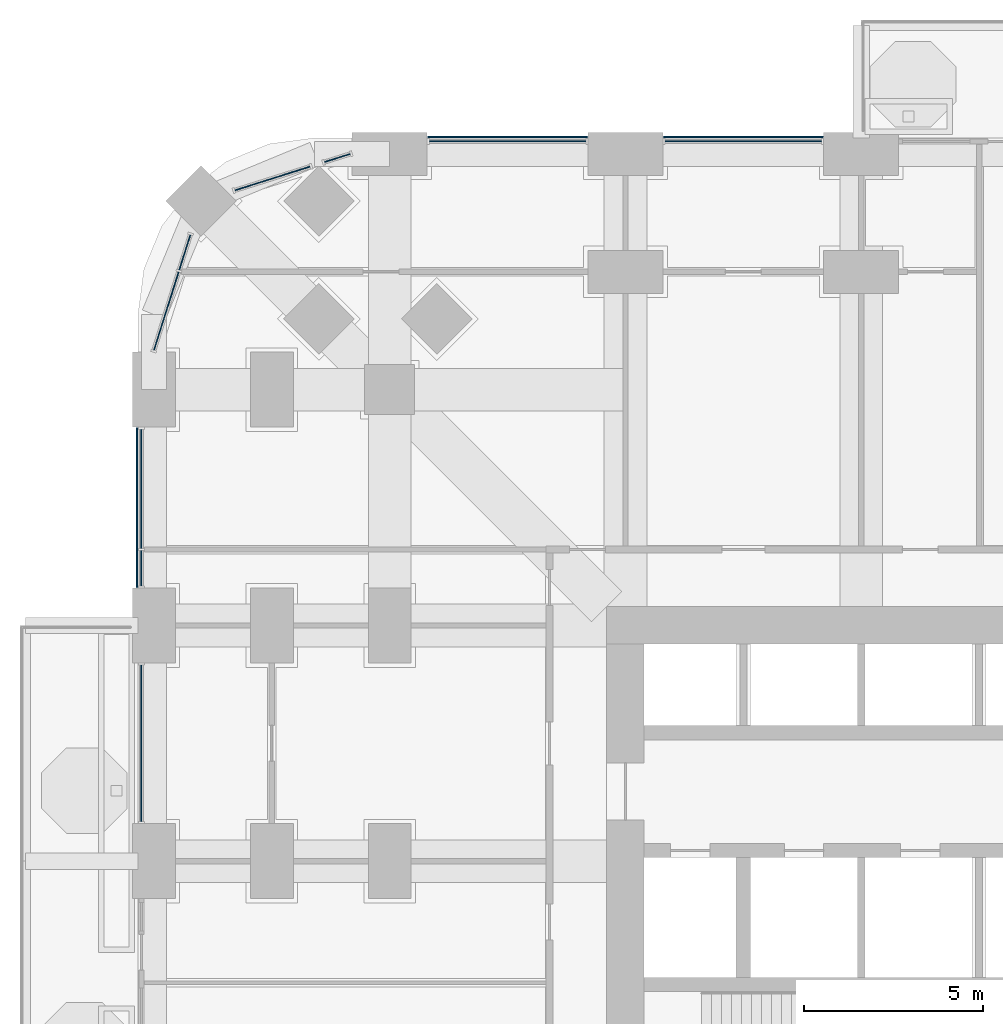
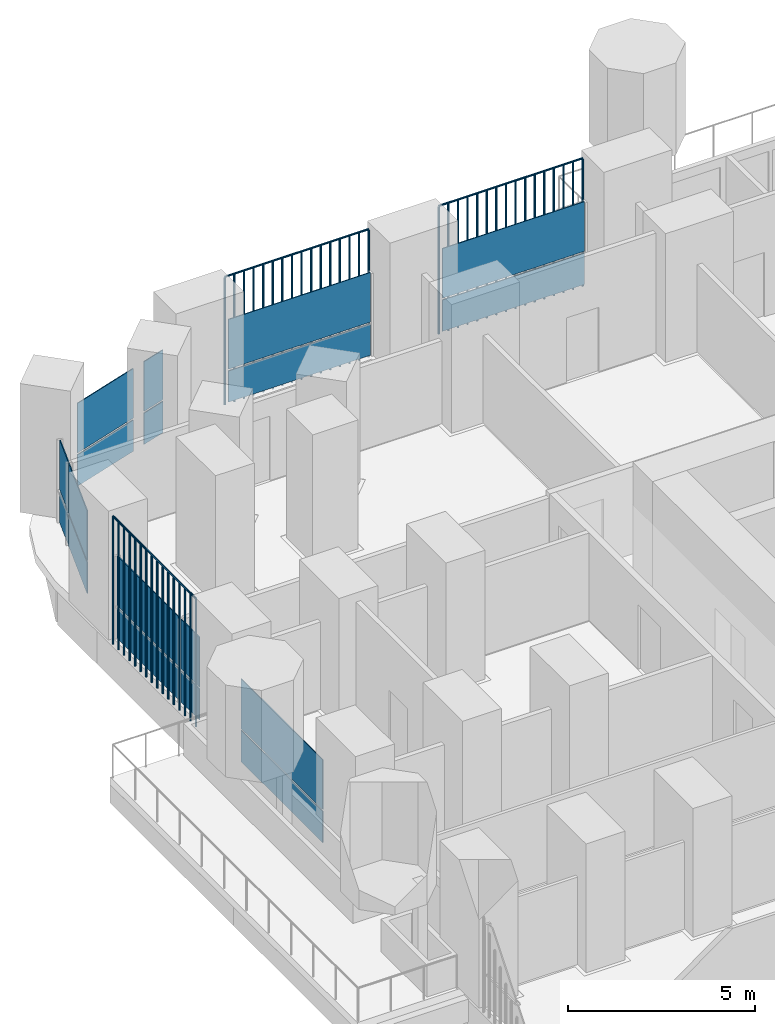
# One storey, part 14 of 26: 21 plates, 7 elements without a shape of their own.
"""IFC4 building model written with IfcOpenShell, lengths in metres."""

from ifc_helpers import new_model, si_unit, direction, frame, origin, origin_2d, place, context, subcontext, project, spatial, polyline, rectangle, outline, extrude, material, layer, layer_set, type_object, element, aggregate, save


model = new_model("IFC4")

# Units and contexts
model_context = context("Model", 3, precision=1e-05, world=origin(), true_north=direction((0.0, 1.0)))
body_context = subcontext(model_context, "Body", "Model", "MODEL_VIEW")
ifc_project = project(units=[si_unit("LENGTHUNIT", "METRE"), si_unit("AREAUNIT", "SQUARE_METRE"), si_unit("VOLUMEUNIT", "CUBIC_METRE"), si_unit("PLANEANGLEUNIT", "RADIAN"), si_unit("MASSUNIT", "GRAM", prefix="KILO")], contexts=[model_context])

# Site, building, storey
site_placement = place(None, origin())
site = spatial("IfcSite", under=ifc_project, at=site_placement, CompositionType="ELEMENT")
building_placement = place(site_placement, origin())
building = spatial("IfcBuilding", under=site, at=building_placement, Name="Cobogo Forest Laboratory Tower", CompositionType="ELEMENT")
storey_placement = place(building_placement, frame((0.0, 0.0, 25.5)))
storey = spatial("IfcBuildingStorey", under=building, at=storey_placement, Name="L05", CompositionType="ELEMENT", Elevation=25.5)

# Curtain wall, plates
ifc_material_1 = material(Name="Aluminium curtain wall", Category="aluminium")
curtain_wall_type = type_object("IfcCurtainWallType", Name="CW-1 unitised curtain wall, clear glazing, laboratory floors zones A and B", PredefinedType="USERDEFINED", material=ifc_material_1)
curtain_wall_1_placement = place(storey_placement, origin())
curtain_wall_1 = element("IfcCurtainWall", 1, at=curtain_wall_1_placement, inside=storey, type_object=curtain_wall_type, Name="Curtain wall 22 L05", ObjectType="UNITISED CURTAIN WALL", PredefinedType="USERDEFINED")
ifc_material_2 = material(Name="Clear insulated glass", Category="glass")
ifc_layer = layer(ifc_material_2, 0.028076171875)
ifc_layer_set = layer_set([ifc_layer], Name="GP-1 clear insulated glass unit 28")
plate_type_1 = type_object("IfcPlateType", Name="GP-1 clear insulated glass unit 28", PredefinedType="CURTAIN_PANEL", material=ifc_layer_set)
plate_1_placement = place(storey_placement, frame((16.5, 46.550048828125, 0.0), z_axis=(0.0, 0.0, 1.0), x_axis=(-1.0, 0.0, 0.0)))
plate_1 = element("IfcPlate", 2, at=plate_1_placement, type_object=plate_type_1, Name="CW-1 panel 1.1", PredefinedType="CURTAIN_PANEL", context=body_context, shape_type="SweptSolid", body=[
    extrude(rectangle(XDim=4.3798828125, YDim=0.028076171875, at=origin_2d()), origin(), (0.0, 0.0, 1.0), 1.02001953125),
])
plate_2_placement = place(storey_placement, frame((16.5, 46.550048828125, 1.079833984375), z_axis=(0.0, 0.0, 1.0), x_axis=(-1.0, 0.0, 0.0)))
plate_2 = element("IfcPlate", 3, at=plate_2_placement, type_object=plate_type_1, Name="CW-1 panel 1.2", PredefinedType="CURTAIN_PANEL", context=body_context, shape_type="SweptSolid", body=[
    extrude(rectangle(XDim=4.3798828125, YDim=0.028076171875, at=origin_2d()), origin(), (0.0, 0.0, 1.0), 1.6201171875),
])
aggregate(curtain_wall_1, [plate_1, plate_2])

curtain_wall_2_placement = place(storey_placement, origin())
curtain_wall_2 = element("IfcCurtainWall", 4, at=curtain_wall_2_placement, inside=storey, type_object=curtain_wall_type, Name="Curtain wall 23 L05", ObjectType="UNITISED CURTAIN WALL", PredefinedType="USERDEFINED")
plate_3_placement = place(storey_placement, frame((9.89990234375, 46.550048828125, 0.0), z_axis=(0.0, 0.0, 1.0), x_axis=(-1.0, 0.0, 0.0)))
plate_3 = element("IfcPlate", 5, at=plate_3_placement, type_object=plate_type_1, Name="CW-1 panel 1.1", PredefinedType="CURTAIN_PANEL", context=body_context, shape_type="SweptSolid", body=[
    extrude(rectangle(XDim=4.3798828125, YDim=0.028076171875, at=origin_2d()), origin(), (0.0, 0.0, 1.0), 1.02001953125),
])
plate_4_placement = place(storey_placement, frame((9.89990234375, 46.550048828125, 1.079833984375), z_axis=(0.0, 0.0, 1.0), x_axis=(-1.0, 0.0, 0.0)))
plate_4 = element("IfcPlate", 6, at=plate_4_placement, type_object=plate_type_1, Name="CW-1 panel 1.2", PredefinedType="CURTAIN_PANEL", context=body_context, shape_type="SweptSolid", body=[
    extrude(rectangle(XDim=4.3798828125, YDim=0.028076171875, at=origin_2d()), origin(), (0.0, 0.0, 1.0), 1.6201171875),
])
aggregate(curtain_wall_2, [plate_3, plate_4])

curtain_wall_3_placement = place(storey_placement, origin())
curtain_wall_3 = element("IfcCurtainWall", 7, at=curtain_wall_3_placement, inside=storey, type_object=curtain_wall_type, Name="Curtain wall 24 L05", ObjectType="UNITISED CURTAIN WALL", PredefinedType="USERDEFINED")
plate_5_placement = place(storey_placement, frame((5.134033203125, 46.087158203125, 0.0), z_axis=(0.0, 0.0, 1.0), x_axis=(-0.953581504428, -0.301135043481, 0.0)))
plate_5 = element("IfcPlate", 8, at=plate_5_placement, type_object=plate_type_1, Name="CW-1 panel 1.1", PredefinedType="CURTAIN_PANEL", context=body_context, shape_type="SweptSolid", body=[
    extrude(rectangle(XDim=0.75244140625, YDim=0.028076171875, at=origin_2d()), origin(), (0.0, 0.0, 1.0), 1.02001953125),
])
plate_6_placement = place(storey_placement, frame((5.134033203125, 46.087158203125, 1.079833984375), z_axis=(0.0, 0.0, 1.0), x_axis=(-0.953581504428, -0.301135043481, 0.0)))
plate_6 = element("IfcPlate", 9, at=plate_6_placement, type_object=plate_type_1, Name="CW-1 panel 1.2", PredefinedType="CURTAIN_PANEL", context=body_context, shape_type="SweptSolid", body=[
    extrude(rectangle(XDim=0.75244140625, YDim=0.028076171875, at=origin_2d()), origin(), (0.0, 0.0, 1.0), 1.6201171875),
])
aggregate(curtain_wall_3, [plate_5, plate_6])

curtain_wall_4_placement = place(storey_placement, origin())
curtain_wall_4 = element("IfcCurtainWall", 10, at=curtain_wall_4_placement, inside=storey, type_object=curtain_wall_type, Name="Curtain wall 25 L05", ObjectType="UNITISED CURTAIN WALL", PredefinedType="USERDEFINED")
plate_7_placement = place(storey_placement, frame((3.31787109375, 45.513427734375, 0.0), z_axis=(0.0, 0.0, 1.0), x_axis=(-0.953581409645, -0.301135343623, 0.0)))
plate_7 = element("IfcPlate", 11, at=plate_7_placement, type_object=plate_type_1, Name="CW-1 panel 1.1", PredefinedType="CURTAIN_PANEL", context=body_context, shape_type="SweptSolid", body=[
    extrude(rectangle(XDim=2.203369140625, YDim=0.028076171875, at=origin_2d()), origin(), (0.0, 0.0, 1.0), 1.02001953125),
])
plate_8_placement = place(storey_placement, frame((3.31787109375, 45.513427734375, 1.079833984375), z_axis=(0.0, 0.0, 1.0), x_axis=(-0.953581409645, -0.301135343623, 0.0)))
plate_8 = element("IfcPlate", 12, at=plate_8_placement, type_object=plate_type_1, Name="CW-1 panel 1.2", PredefinedType="CURTAIN_PANEL", context=body_context, shape_type="SweptSolid", body=[
    extrude(rectangle(XDim=2.203369140625, YDim=0.028076171875, at=origin_2d()), origin(), (0.0, 0.0, 1.0), 1.6201171875),
])
aggregate(curtain_wall_4, [plate_7, plate_8])

curtain_wall_5_placement = place(storey_placement, origin())
curtain_wall_5 = element("IfcCurtainWall", 13, at=curtain_wall_5_placement, inside=storey, type_object=curtain_wall_type, Name="Curtain wall 26 L05", ObjectType="UNITISED CURTAIN WALL", PredefinedType="USERDEFINED")
plate_9_placement = place(storey_placement, frame((0.863525390625, 43.442626953125, 0.0), z_axis=(0.0, 0.0, 1.0), x_axis=(-0.30113535792, -0.95358140513, 0.0)))
plate_9 = element("IfcPlate", 14, at=plate_9_placement, type_object=plate_type_1, Name="CW-1 panel 1.1", PredefinedType="CURTAIN_PANEL", context=body_context, shape_type="SweptSolid", body=[
    extrude(rectangle(XDim=1.027587890625, YDim=0.028076171875, at=origin_2d()), origin(), (0.0, 0.0, 1.0), 1.02001953125),
])
plate_10_placement = place(storey_placement, frame((0.863525390625, 43.442626953125, 1.079833984375), z_axis=(0.0, 0.0, 1.0), x_axis=(-0.30113535792, -0.95358140513, 0.0)))
plate_10 = element("IfcPlate", 15, at=plate_10_placement, type_object=plate_type_1, Name="CW-1 panel 1.2", PredefinedType="CURTAIN_PANEL", context=body_context, shape_type="SweptSolid", body=[
    extrude(rectangle(XDim=1.027587890625, YDim=0.028076171875, at=origin_2d()), origin(), (0.0, 0.0, 1.0), 1.6201171875),
])
plate_11_placement = place(storey_placement, frame((0.34521484375, 41.80126953125, 0.0), z_axis=(0.0, 0.0, 1.0), x_axis=(-0.30113535792, -0.95358140513, 0.0)))
plate_11 = element("IfcPlate", 16, at=plate_11_placement, type_object=plate_type_1, Name="CW-1 panel 2.1", PredefinedType="CURTAIN_PANEL", context=body_context, shape_type="SweptSolid", body=[
    extrude(rectangle(XDim=2.294677734375, YDim=0.028076171875, at=origin_2d()), origin(), (0.0, 0.0, 1.0), 1.02001953125),
])
plate_12_placement = place(storey_placement, frame((0.34521484375, 41.80126953125, 1.079833984375), z_axis=(0.0, 0.0, 1.0), x_axis=(-0.30113535792, -0.95358140513, 0.0)))
plate_12 = element("IfcPlate", 17, at=plate_12_placement, type_object=plate_type_1, Name="CW-1 panel 2.2", PredefinedType="CURTAIN_PANEL", context=body_context, shape_type="SweptSolid", body=[
    extrude(rectangle(XDim=2.294677734375, YDim=0.028076171875, at=origin_2d()), origin(), (0.0, 0.0, 1.0), 1.6201171875),
])
aggregate(curtain_wall_5, [plate_9, plate_10, plate_11, plate_12])

curtain_wall_6_placement = place(storey_placement, origin())
curtain_wall_6 = element("IfcCurtainWall", 18, at=curtain_wall_6_placement, inside=storey, type_object=curtain_wall_type, Name="Curtain wall 27 L05", ObjectType="UNITISED CURTAIN WALL", PredefinedType="USERDEFINED")
plate_13_placement = place(storey_placement, frame((-0.35009765625, 36.822509765625, 0.0), z_axis=(0.0, 0.0, 1.0), x_axis=(0.0, -1.0, 0.0)))
plate_13 = element("IfcPlate", 19, at=plate_13_placement, type_object=plate_type_1, Name="CW-1 panel 1.1", PredefinedType="CURTAIN_PANEL", context=body_context, shape_type="SweptSolid", body=[
    extrude(rectangle(XDim=3.3349609375, YDim=0.028076171875, at=origin_2d()), origin(), (0.0, 0.0, 1.0), 1.02001953125),
])
plate_14_placement = place(storey_placement, frame((-0.35009765625, 36.822509765625, 1.079833984375), z_axis=(0.0, 0.0, 1.0), x_axis=(0.0, -1.0, 0.0)))
plate_14 = element("IfcPlate", 20, at=plate_14_placement, type_object=plate_type_1, Name="CW-1 panel 1.2", PredefinedType="CURTAIN_PANEL", context=body_context, shape_type="SweptSolid", body=[
    extrude(rectangle(XDim=3.3349609375, YDim=0.028076171875, at=origin_2d()), origin(), (0.0, 0.0, 1.0), 1.6201171875),
])
plate_15_placement = place(storey_placement, frame((-0.35009765625, 34.6025390625, 0.0), z_axis=(0.0, 0.0, 1.0), x_axis=(0.0, -1.0, 0.0)))
plate_15 = element("IfcPlate", 21, at=plate_15_placement, type_object=plate_type_1, Name="CW-1 panel 2.1", PredefinedType="CURTAIN_PANEL", context=body_context, shape_type="SweptSolid", body=[
    extrude(rectangle(XDim=0.985107421875, YDim=0.028076171875, at=origin_2d()), origin(), (0.0, 0.0, 1.0), 1.02001953125),
])
plate_16_placement = place(storey_placement, frame((-0.35009765625, 34.6025390625, 1.079833984375), z_axis=(0.0, 0.0, 1.0), x_axis=(0.0, -1.0, 0.0)))
plate_16 = element("IfcPlate", 22, at=plate_16_placement, type_object=plate_type_1, Name="CW-1 panel 2.2", PredefinedType="CURTAIN_PANEL", context=body_context, shape_type="SweptSolid", body=[
    extrude(rectangle(XDim=0.985107421875, YDim=0.028076171875, at=origin_2d()), origin(), (0.0, 0.0, 1.0), 1.6201171875),
])
aggregate(curtain_wall_6, [plate_13, plate_14, plate_15, plate_16])

curtain_wall_7_placement = place(storey_placement, origin())
curtain_wall_7 = element("IfcCurtainWall", 23, at=curtain_wall_7_placement, inside=storey, type_object=curtain_wall_type, Name="Curtain wall 28 L05", ObjectType="UNITISED CURTAIN WALL", PredefinedType="USERDEFINED")
plate_17_placement = place(storey_placement, frame((-0.35009765625, 29.699951171875, 0.0), z_axis=(0.0, 0.0, 1.0), x_axis=(0.0, -1.0, 0.0)))
plate_17 = element("IfcPlate", 24, at=plate_17_placement, type_object=plate_type_1, Name="CW-1 panel 1.1", PredefinedType="CURTAIN_PANEL", context=body_context, shape_type="SweptSolid", body=[
    extrude(rectangle(XDim=4.3798828125, YDim=0.028076171875, at=origin_2d()), origin(), (0.0, 0.0, 1.0), 1.02001953125),
])
plate_18_placement = place(storey_placement, frame((-0.35009765625, 29.699951171875, 1.079833984375), z_axis=(0.0, 0.0, 1.0), x_axis=(0.0, -1.0, 0.0)))
plate_18 = element("IfcPlate", 25, at=plate_18_placement, type_object=plate_type_1, Name="CW-1 panel 1.2", PredefinedType="CURTAIN_PANEL", context=body_context, shape_type="SweptSolid", body=[
    extrude(rectangle(XDim=4.3798828125, YDim=0.028076171875, at=origin_2d()), origin(), (0.0, 0.0, 1.0), 1.6201171875),
])
aggregate(curtain_wall_7, [plate_17, plate_18])

# Plates
ifc_material_3 = material(Name="Terracotta", Category="masonry")
plate_type_2 = type_object("IfcPlateType", Name="TB1 terracotta baguette screen", PredefinedType="USERDEFINED", material=ifc_material_3)
plate_19_placement = place(storey_placement, frame((7.68115234375, 46.677978515625, -0.14990234375)))
element("IfcPlate", 26, at=plate_19_placement, inside=storey, type_object=plate_type_2, Name="Baguette screen N1 L05", ObjectType="BAGUETTE SCREEN", PredefinedType="USERDEFINED", context=body_context, shape_type="SweptSolid", body=[
    extrude(outline(polyline([(0.02880859375, 0.011962890625), (0.011962890625, 0.02880859375), (-0.011962890625, 0.02880859375), (-0.02880859375, 0.011962890625), (-0.02880859375, -0.011962890625), (-0.011962890625, -0.02880859375), (0.011962890625, -0.02880859375), (0.02880859375, -0.011962890625), (0.02880859375, 0.011962890625)])), frame((0.0, 0.0, 4.168701171875), z_axis=(1.0, 0.0, 0.0), x_axis=(0.0, 1.0, 0.0)), (0.0, 0.0, 1.0), 4.4375),
    extrude(outline(polyline([(0.02880859375, 0.011962890625), (0.011962890625, 0.02880859375), (-0.011962890625, 0.02880859375), (-0.02880859375, 0.011962890625), (-0.02880859375, -0.011962890625), (-0.011962890625, -0.02880859375), (0.011962890625, -0.02880859375), (0.02880859375, -0.011962890625), (0.02880859375, 0.011962890625)])), origin(), (0.0, 0.0, 1.0), 4.137451171875),
    extrude(outline(polyline([(0.02880859375, 0.011962890625), (0.011962890625, 0.02880859375), (-0.011962890625, 0.02880859375), (-0.02880859375, 0.011962890625), (-0.02880859375, -0.011962890625), (-0.011962890625, -0.02880859375), (0.011962890625, -0.02880859375), (0.02880859375, -0.011962890625), (0.02880859375, 0.011962890625)])), frame((0.2958984375, 0.0, 0.0)), (0.0, 0.0, 1.0), 4.137451171875),
    extrude(outline(polyline([(0.02880859375, 0.011962890625), (0.011962890625, 0.02880859375), (-0.011962890625, 0.02880859375), (-0.02880859375, 0.011962890625), (-0.02880859375, -0.011962890625), (-0.011962890625, -0.02880859375), (0.011962890625, -0.02880859375), (0.02880859375, -0.011962890625), (0.02880859375, 0.011962890625)])), frame((0.591552734375, 0.0, 0.0)), (0.0, 0.0, 1.0), 4.137451171875),
    extrude(outline(polyline([(0.02880859375, 0.011962890625), (0.011962890625, 0.02880859375), (-0.011962890625, 0.02880859375), (-0.02880859375, 0.011962890625), (-0.02880859375, -0.011962890625), (-0.011962890625, -0.02880859375), (0.011962890625, -0.02880859375), (0.02880859375, -0.011962890625), (0.02880859375, 0.011962890625)])), frame((0.887451171875, 0.0, 0.0)), (0.0, 0.0, 1.0), 4.137451171875),
    extrude(outline(polyline([(0.02880859375, 0.011962890625), (0.011962890625, 0.02880859375), (-0.011962890625, 0.02880859375), (-0.02880859375, 0.011962890625), (-0.02880859375, -0.011962890625), (-0.011962890625, -0.02880859375), (0.011962890625, -0.02880859375), (0.02880859375, -0.011962890625), (0.02880859375, 0.011962890625)])), frame((1.183349609375, 0.0, 0.0)), (0.0, 0.0, 1.0), 4.137451171875),
    extrude(outline(polyline([(0.02880859375, 0.011962890625), (0.011962890625, 0.02880859375), (-0.011962890625, 0.02880859375), (-0.02880859375, 0.011962890625), (-0.02880859375, -0.011962890625), (-0.011962890625, -0.02880859375), (0.011962890625, -0.02880859375), (0.02880859375, -0.011962890625), (0.02880859375, 0.011962890625)])), frame((1.479248046875, 0.0, 0.0)), (0.0, 0.0, 1.0), 4.137451171875),
    extrude(outline(polyline([(0.02880859375, 0.011962890625), (0.011962890625, 0.02880859375), (-0.011962890625, 0.02880859375), (-0.02880859375, 0.011962890625), (-0.02880859375, -0.011962890625), (-0.011962890625, -0.02880859375), (0.011962890625, -0.02880859375), (0.02880859375, -0.011962890625), (0.02880859375, 0.011962890625)])), frame((1.77490234375, 0.0, 0.0)), (0.0, 0.0, 1.0), 4.137451171875),
    extrude(outline(polyline([(0.02880859375, 0.011962890625), (0.011962890625, 0.02880859375), (-0.011962890625, 0.02880859375), (-0.02880859375, 0.011962890625), (-0.02880859375, -0.011962890625), (-0.011962890625, -0.02880859375), (0.011962890625, -0.02880859375), (0.02880859375, -0.011962890625), (0.02880859375, 0.011962890625)])), frame((2.07080078125, 0.0, 0.0)), (0.0, 0.0, 1.0), 4.137451171875),
    extrude(outline(polyline([(0.02880859375, 0.011962890625), (0.011962890625, 0.02880859375), (-0.011962890625, 0.02880859375), (-0.02880859375, 0.011962890625), (-0.02880859375, -0.011962890625), (-0.011962890625, -0.02880859375), (0.011962890625, -0.02880859375), (0.02880859375, -0.011962890625), (0.02880859375, 0.011962890625)])), frame((2.36669921875, 0.0, 0.0)), (0.0, 0.0, 1.0), 4.137451171875),
    extrude(outline(polyline([(0.02880859375, 0.011962890625), (0.011962890625, 0.02880859375), (-0.011962890625, 0.02880859375), (-0.02880859375, 0.011962890625), (-0.02880859375, -0.011962890625), (-0.011962890625, -0.02880859375), (0.011962890625, -0.02880859375), (0.02880859375, -0.011962890625), (0.02880859375, 0.011962890625)])), frame((2.66259765625, 0.0, 0.0)), (0.0, 0.0, 1.0), 4.137451171875),
    extrude(outline(polyline([(0.02880859375, 0.011962890625), (0.011962890625, 0.02880859375), (-0.011962890625, 0.02880859375), (-0.02880859375, 0.011962890625), (-0.02880859375, -0.011962890625), (-0.011962890625, -0.02880859375), (0.011962890625, -0.02880859375), (0.02880859375, -0.011962890625), (0.02880859375, 0.011962890625)])), frame((2.958251953125, 0.0, 0.0)), (0.0, 0.0, 1.0), 4.137451171875),
    extrude(outline(polyline([(0.02880859375, 0.011962890625), (0.011962890625, 0.02880859375), (-0.011962890625, 0.02880859375), (-0.02880859375, 0.011962890625), (-0.02880859375, -0.011962890625), (-0.011962890625, -0.02880859375), (0.011962890625, -0.02880859375), (0.02880859375, -0.011962890625), (0.02880859375, 0.011962890625)])), frame((3.254150390625, 0.0, 0.0)), (0.0, 0.0, 1.0), 4.137451171875),
    extrude(outline(polyline([(0.02880859375, 0.011962890625), (0.011962890625, 0.02880859375), (-0.011962890625, 0.02880859375), (-0.02880859375, 0.011962890625), (-0.02880859375, -0.011962890625), (-0.011962890625, -0.02880859375), (0.011962890625, -0.02880859375), (0.02880859375, -0.011962890625), (0.02880859375, 0.011962890625)])), frame((3.550048828125, 0.0, 0.0)), (0.0, 0.0, 1.0), 4.137451171875),
    extrude(outline(polyline([(0.02880859375, 0.011962890625), (0.011962890625, 0.02880859375), (-0.011962890625, 0.02880859375), (-0.02880859375, 0.011962890625), (-0.02880859375, -0.011962890625), (-0.011962890625, -0.02880859375), (0.011962890625, -0.02880859375), (0.02880859375, -0.011962890625), (0.02880859375, 0.011962890625)])), frame((3.845947265625, 0.0, 0.0)), (0.0, 0.0, 1.0), 4.137451171875),
    extrude(outline(polyline([(0.02880859375, 0.011962890625), (0.011962890625, 0.02880859375), (-0.011962890625, 0.02880859375), (-0.02880859375, 0.011962890625), (-0.02880859375, -0.011962890625), (-0.011962890625, -0.02880859375), (0.011962890625, -0.02880859375), (0.02880859375, -0.011962890625), (0.02880859375, 0.011962890625)])), frame((4.1416015625, 0.0, 0.0)), (0.0, 0.0, 1.0), 4.137451171875),
    extrude(outline(polyline([(0.02880859375, 0.011962890625), (0.011962890625, 0.02880859375), (-0.011962890625, 0.02880859375), (-0.02880859375, 0.011962890625), (-0.02880859375, -0.011962890625), (-0.011962890625, -0.02880859375), (0.011962890625, -0.02880859375), (0.02880859375, -0.011962890625), (0.02880859375, 0.011962890625)])), frame((4.4375, 0.0, 0.0)), (0.0, 0.0, 1.0), 4.137451171875),
])
plate_20_placement = place(storey_placement, frame((14.28125, 46.677978515625, -0.14990234375)))
element("IfcPlate", 27, at=plate_20_placement, inside=storey, type_object=plate_type_2, Name="Baguette screen N2 L05", ObjectType="BAGUETTE SCREEN", PredefinedType="USERDEFINED", context=body_context, shape_type="SweptSolid", body=[
    extrude(outline(polyline([(0.02880859375, 0.011962890625), (0.011962890625, 0.02880859375), (-0.011962890625, 0.02880859375), (-0.02880859375, 0.011962890625), (-0.02880859375, -0.011962890625), (-0.011962890625, -0.02880859375), (0.011962890625, -0.02880859375), (0.02880859375, -0.011962890625), (0.02880859375, 0.011962890625)])), frame((0.0, 0.0, 4.168701171875), z_axis=(1.0, 0.0, 0.0), x_axis=(0.0, 1.0, 0.0)), (0.0, 0.0, 1.0), 4.4375),
    extrude(outline(polyline([(0.02880859375, 0.011962890625), (0.011962890625, 0.02880859375), (-0.011962890625, 0.02880859375), (-0.02880859375, 0.011962890625), (-0.02880859375, -0.011962890625), (-0.011962890625, -0.02880859375), (0.011962890625, -0.02880859375), (0.02880859375, -0.011962890625), (0.02880859375, 0.011962890625)])), origin(), (0.0, 0.0, 1.0), 4.137451171875),
    extrude(outline(polyline([(0.02880859375, 0.011962890625), (0.011962890625, 0.02880859375), (-0.011962890625, 0.02880859375), (-0.02880859375, 0.011962890625), (-0.02880859375, -0.011962890625), (-0.011962890625, -0.02880859375), (0.011962890625, -0.02880859375), (0.02880859375, -0.011962890625), (0.02880859375, 0.011962890625)])), frame((0.2958984375, 0.0, 0.0)), (0.0, 0.0, 1.0), 4.137451171875),
    extrude(outline(polyline([(0.02880859375, 0.011962890625), (0.011962890625, 0.02880859375), (-0.011962890625, 0.02880859375), (-0.02880859375, 0.011962890625), (-0.02880859375, -0.011962890625), (-0.011962890625, -0.02880859375), (0.011962890625, -0.02880859375), (0.02880859375, -0.011962890625), (0.02880859375, 0.011962890625)])), frame((0.591552734375, 0.0, 0.0)), (0.0, 0.0, 1.0), 4.137451171875),
    extrude(outline(polyline([(0.02880859375, 0.011962890625), (0.011962890625, 0.02880859375), (-0.011962890625, 0.02880859375), (-0.02880859375, 0.011962890625), (-0.02880859375, -0.011962890625), (-0.011962890625, -0.02880859375), (0.011962890625, -0.02880859375), (0.02880859375, -0.011962890625), (0.02880859375, 0.011962890625)])), frame((0.887451171875, 0.0, 0.0)), (0.0, 0.0, 1.0), 4.137451171875),
    extrude(outline(polyline([(0.02880859375, 0.011962890625), (0.011962890625, 0.02880859375), (-0.011962890625, 0.02880859375), (-0.02880859375, 0.011962890625), (-0.02880859375, -0.011962890625), (-0.011962890625, -0.02880859375), (0.011962890625, -0.02880859375), (0.02880859375, -0.011962890625), (0.02880859375, 0.011962890625)])), frame((1.183349609375, 0.0, 0.0)), (0.0, 0.0, 1.0), 4.137451171875),
    extrude(outline(polyline([(0.02880859375, 0.011962890625), (0.011962890625, 0.02880859375), (-0.011962890625, 0.02880859375), (-0.02880859375, 0.011962890625), (-0.02880859375, -0.011962890625), (-0.011962890625, -0.02880859375), (0.011962890625, -0.02880859375), (0.02880859375, -0.011962890625), (0.02880859375, 0.011962890625)])), frame((1.479248046875, 0.0, 0.0)), (0.0, 0.0, 1.0), 4.137451171875),
    extrude(outline(polyline([(0.02880859375, 0.011962890625), (0.011962890625, 0.02880859375), (-0.011962890625, 0.02880859375), (-0.02880859375, 0.011962890625), (-0.02880859375, -0.011962890625), (-0.011962890625, -0.02880859375), (0.011962890625, -0.02880859375), (0.02880859375, -0.011962890625), (0.02880859375, 0.011962890625)])), frame((1.77490234375, 0.0, 0.0)), (0.0, 0.0, 1.0), 4.137451171875),
    extrude(outline(polyline([(0.02880859375, 0.011962890625), (0.011962890625, 0.02880859375), (-0.011962890625, 0.02880859375), (-0.02880859375, 0.011962890625), (-0.02880859375, -0.011962890625), (-0.011962890625, -0.02880859375), (0.011962890625, -0.02880859375), (0.02880859375, -0.011962890625), (0.02880859375, 0.011962890625)])), frame((2.07080078125, 0.0, 0.0)), (0.0, 0.0, 1.0), 4.137451171875),
    extrude(outline(polyline([(0.02880859375, 0.011962890625), (0.011962890625, 0.02880859375), (-0.011962890625, 0.02880859375), (-0.02880859375, 0.011962890625), (-0.02880859375, -0.011962890625), (-0.011962890625, -0.02880859375), (0.011962890625, -0.02880859375), (0.02880859375, -0.011962890625), (0.02880859375, 0.011962890625)])), frame((2.36669921875, 0.0, 0.0)), (0.0, 0.0, 1.0), 4.137451171875),
    extrude(outline(polyline([(0.02880859375, 0.011962890625), (0.011962890625, 0.02880859375), (-0.011962890625, 0.02880859375), (-0.02880859375, 0.011962890625), (-0.02880859375, -0.011962890625), (-0.011962890625, -0.02880859375), (0.011962890625, -0.02880859375), (0.02880859375, -0.011962890625), (0.02880859375, 0.011962890625)])), frame((2.66259765625, 0.0, 0.0)), (0.0, 0.0, 1.0), 4.137451171875),
    extrude(outline(polyline([(0.02880859375, 0.011962890625), (0.011962890625, 0.02880859375), (-0.011962890625, 0.02880859375), (-0.02880859375, 0.011962890625), (-0.02880859375, -0.011962890625), (-0.011962890625, -0.02880859375), (0.011962890625, -0.02880859375), (0.02880859375, -0.011962890625), (0.02880859375, 0.011962890625)])), frame((2.958251953125, 0.0, 0.0)), (0.0, 0.0, 1.0), 4.137451171875),
    extrude(outline(polyline([(0.02880859375, 0.011962890625), (0.011962890625, 0.02880859375), (-0.011962890625, 0.02880859375), (-0.02880859375, 0.011962890625), (-0.02880859375, -0.011962890625), (-0.011962890625, -0.02880859375), (0.011962890625, -0.02880859375), (0.02880859375, -0.011962890625), (0.02880859375, 0.011962890625)])), frame((3.254150390625, 0.0, 0.0)), (0.0, 0.0, 1.0), 4.137451171875),
    extrude(outline(polyline([(0.02880859375, 0.011962890625), (0.011962890625, 0.02880859375), (-0.011962890625, 0.02880859375), (-0.02880859375, 0.011962890625), (-0.02880859375, -0.011962890625), (-0.011962890625, -0.02880859375), (0.011962890625, -0.02880859375), (0.02880859375, -0.011962890625), (0.02880859375, 0.011962890625)])), frame((3.550048828125, 0.0, 0.0)), (0.0, 0.0, 1.0), 4.137451171875),
    extrude(outline(polyline([(0.02880859375, 0.011962890625), (0.011962890625, 0.02880859375), (-0.011962890625, 0.02880859375), (-0.02880859375, 0.011962890625), (-0.02880859375, -0.011962890625), (-0.011962890625, -0.02880859375), (0.011962890625, -0.02880859375), (0.02880859375, -0.011962890625), (0.02880859375, 0.011962890625)])), frame((3.845947265625, 0.0, 0.0)), (0.0, 0.0, 1.0), 4.137451171875),
    extrude(outline(polyline([(0.02880859375, 0.011962890625), (0.011962890625, 0.02880859375), (-0.011962890625, 0.02880859375), (-0.02880859375, 0.011962890625), (-0.02880859375, -0.011962890625), (-0.011962890625, -0.02880859375), (0.011962890625, -0.02880859375), (0.02880859375, -0.011962890625), (0.02880859375, 0.011962890625)])), frame((4.1416015625, 0.0, 0.0)), (0.0, 0.0, 1.0), 4.137451171875),
    extrude(outline(polyline([(0.02880859375, 0.011962890625), (0.011962890625, 0.02880859375), (-0.011962890625, 0.02880859375), (-0.02880859375, 0.011962890625), (-0.02880859375, -0.011962890625), (-0.011962890625, -0.02880859375), (0.011962890625, -0.02880859375), (0.02880859375, -0.011962890625), (0.02880859375, 0.011962890625)])), frame((4.4375, 0.0, 0.0)), (0.0, 0.0, 1.0), 4.137451171875),
])
plate_21_placement = place(storey_placement, frame((-0.477783203125, 34.081298828125, -0.14990234375)))
element("IfcPlate", 28, at=plate_21_placement, inside=storey, type_object=plate_type_2, Name="Baguette screen W5 L05", ObjectType="BAGUETTE SCREEN", PredefinedType="USERDEFINED", context=body_context, shape_type="SweptSolid", body=[
    extrude(outline(polyline([(0.02880859375, 0.011962890625), (0.011962890625, 0.02880859375), (-0.011962890625, 0.02880859375), (-0.02880859375, 0.011962890625), (-0.02880859375, -0.011962890625), (-0.011962890625, -0.02880859375), (0.011962890625, -0.02880859375), (0.02880859375, -0.011962890625), (0.02880859375, 0.011962890625)])), frame((0.0, 0.0, 4.168701171875), z_axis=(0.0, 1.0, 0.0), x_axis=(-1.0, 0.0, 0.0)), (0.0, 0.0, 1.0), 4.4375),
    extrude(outline(polyline([(0.02880859375, 0.011962890625), (0.011962890625, 0.02880859375), (-0.011962890625, 0.02880859375), (-0.02880859375, 0.011962890625), (-0.02880859375, -0.011962890625), (-0.011962890625, -0.02880859375), (0.011962890625, -0.02880859375), (0.02880859375, -0.011962890625), (0.02880859375, 0.011962890625)])), origin(), (0.0, 0.0, 1.0), 4.137451171875),
    extrude(outline(polyline([(0.02880859375, 0.011962890625), (0.011962890625, 0.02880859375), (-0.011962890625, 0.02880859375), (-0.02880859375, 0.011962890625), (-0.02880859375, -0.011962890625), (-0.011962890625, -0.02880859375), (0.011962890625, -0.02880859375), (0.02880859375, -0.011962890625), (0.02880859375, 0.011962890625)])), frame((0.0, 0.2958984375, 0.0)), (0.0, 0.0, 1.0), 4.137451171875),
    extrude(outline(polyline([(0.02880859375, 0.011962890625), (0.011962890625, 0.02880859375), (-0.011962890625, 0.02880859375), (-0.02880859375, 0.011962890625), (-0.02880859375, -0.011962890625), (-0.011962890625, -0.02880859375), (0.011962890625, -0.02880859375), (0.02880859375, -0.011962890625), (0.02880859375, 0.011962890625)])), frame((0.0, 0.591552734375, 0.0)), (0.0, 0.0, 1.0), 4.137451171875),
    extrude(outline(polyline([(0.02880859375, 0.011962890625), (0.011962890625, 0.02880859375), (-0.011962890625, 0.02880859375), (-0.02880859375, 0.011962890625), (-0.02880859375, -0.011962890625), (-0.011962890625, -0.02880859375), (0.011962890625, -0.02880859375), (0.02880859375, -0.011962890625), (0.02880859375, 0.011962890625)])), frame((0.0, 0.887451171875, 0.0)), (0.0, 0.0, 1.0), 4.137451171875),
    extrude(outline(polyline([(0.02880859375, 0.011962890625), (0.011962890625, 0.02880859375), (-0.011962890625, 0.02880859375), (-0.02880859375, 0.011962890625), (-0.02880859375, -0.011962890625), (-0.011962890625, -0.02880859375), (0.011962890625, -0.02880859375), (0.02880859375, -0.011962890625), (0.02880859375, 0.011962890625)])), frame((0.0, 1.183349609375, 0.0)), (0.0, 0.0, 1.0), 4.137451171875),
    extrude(outline(polyline([(0.02880859375, 0.011962890625), (0.011962890625, 0.02880859375), (-0.011962890625, 0.02880859375), (-0.02880859375, 0.011962890625), (-0.02880859375, -0.011962890625), (-0.011962890625, -0.02880859375), (0.011962890625, -0.02880859375), (0.02880859375, -0.011962890625), (0.02880859375, 0.011962890625)])), frame((0.0, 1.479248046875, 0.0)), (0.0, 0.0, 1.0), 4.137451171875),
    extrude(outline(polyline([(0.02880859375, 0.011962890625), (0.011962890625, 0.02880859375), (-0.011962890625, 0.02880859375), (-0.02880859375, 0.011962890625), (-0.02880859375, -0.011962890625), (-0.011962890625, -0.02880859375), (0.011962890625, -0.02880859375), (0.02880859375, -0.011962890625), (0.02880859375, 0.011962890625)])), frame((0.0, 1.77490234375, 0.0)), (0.0, 0.0, 1.0), 4.137451171875),
    extrude(outline(polyline([(0.02880859375, 0.011962890625), (0.011962890625, 0.02880859375), (-0.011962890625, 0.02880859375), (-0.02880859375, 0.011962890625), (-0.02880859375, -0.011962890625), (-0.011962890625, -0.02880859375), (0.011962890625, -0.02880859375), (0.02880859375, -0.011962890625), (0.02880859375, 0.011962890625)])), frame((0.0, 2.07080078125, 0.0)), (0.0, 0.0, 1.0), 4.137451171875),
    extrude(outline(polyline([(0.02880859375, 0.011962890625), (0.011962890625, 0.02880859375), (-0.011962890625, 0.02880859375), (-0.02880859375, 0.011962890625), (-0.02880859375, -0.011962890625), (-0.011962890625, -0.02880859375), (0.011962890625, -0.02880859375), (0.02880859375, -0.011962890625), (0.02880859375, 0.011962890625)])), frame((0.0, 2.36669921875, 0.0)), (0.0, 0.0, 1.0), 4.137451171875),
    extrude(outline(polyline([(0.02880859375, 0.011962890625), (0.011962890625, 0.02880859375), (-0.011962890625, 0.02880859375), (-0.02880859375, 0.011962890625), (-0.02880859375, -0.011962890625), (-0.011962890625, -0.02880859375), (0.011962890625, -0.02880859375), (0.02880859375, -0.011962890625), (0.02880859375, 0.011962890625)])), frame((0.0, 2.66259765625, 0.0)), (0.0, 0.0, 1.0), 4.137451171875),
    extrude(outline(polyline([(0.02880859375, 0.011962890625), (0.011962890625, 0.02880859375), (-0.011962890625, 0.02880859375), (-0.02880859375, 0.011962890625), (-0.02880859375, -0.011962890625), (-0.011962890625, -0.02880859375), (0.011962890625, -0.02880859375), (0.02880859375, -0.011962890625), (0.02880859375, 0.011962890625)])), frame((0.0, 2.958251953125, 0.0)), (0.0, 0.0, 1.0), 4.137451171875),
    extrude(outline(polyline([(0.02880859375, 0.011962890625), (0.011962890625, 0.02880859375), (-0.011962890625, 0.02880859375), (-0.02880859375, 0.011962890625), (-0.02880859375, -0.011962890625), (-0.011962890625, -0.02880859375), (0.011962890625, -0.02880859375), (0.02880859375, -0.011962890625), (0.02880859375, 0.011962890625)])), frame((0.0, 3.254150390625, 0.0)), (0.0, 0.0, 1.0), 4.137451171875),
    extrude(outline(polyline([(0.02880859375, 0.011962890625), (0.011962890625, 0.02880859375), (-0.011962890625, 0.02880859375), (-0.02880859375, 0.011962890625), (-0.02880859375, -0.011962890625), (-0.011962890625, -0.02880859375), (0.011962890625, -0.02880859375), (0.02880859375, -0.011962890625), (0.02880859375, 0.011962890625)])), frame((0.0, 3.550048828125, 0.0)), (0.0, 0.0, 1.0), 4.137451171875),
    extrude(outline(polyline([(0.02880859375, 0.011962890625), (0.011962890625, 0.02880859375), (-0.011962890625, 0.02880859375), (-0.02880859375, 0.011962890625), (-0.02880859375, -0.011962890625), (-0.011962890625, -0.02880859375), (0.011962890625, -0.02880859375), (0.02880859375, -0.011962890625), (0.02880859375, 0.011962890625)])), frame((0.0, 3.845947265625, 0.0)), (0.0, 0.0, 1.0), 4.137451171875),
    extrude(outline(polyline([(0.02880859375, 0.011962890625), (0.011962890625, 0.02880859375), (-0.011962890625, 0.02880859375), (-0.02880859375, 0.011962890625), (-0.02880859375, -0.011962890625), (-0.011962890625, -0.02880859375), (0.011962890625, -0.02880859375), (0.02880859375, -0.011962890625), (0.02880859375, 0.011962890625)])), frame((0.0, 4.1416015625, 0.0)), (0.0, 0.0, 1.0), 4.137451171875),
    extrude(outline(polyline([(0.02880859375, 0.011962890625), (0.011962890625, 0.02880859375), (-0.011962890625, 0.02880859375), (-0.02880859375, 0.011962890625), (-0.02880859375, -0.011962890625), (-0.011962890625, -0.02880859375), (0.011962890625, -0.02880859375), (0.02880859375, -0.011962890625), (0.02880859375, 0.011962890625)])), frame((0.0, 4.4375, 0.0)), (0.0, 0.0, 1.0), 4.137451171875),
])

save(model, "model.ifc")
